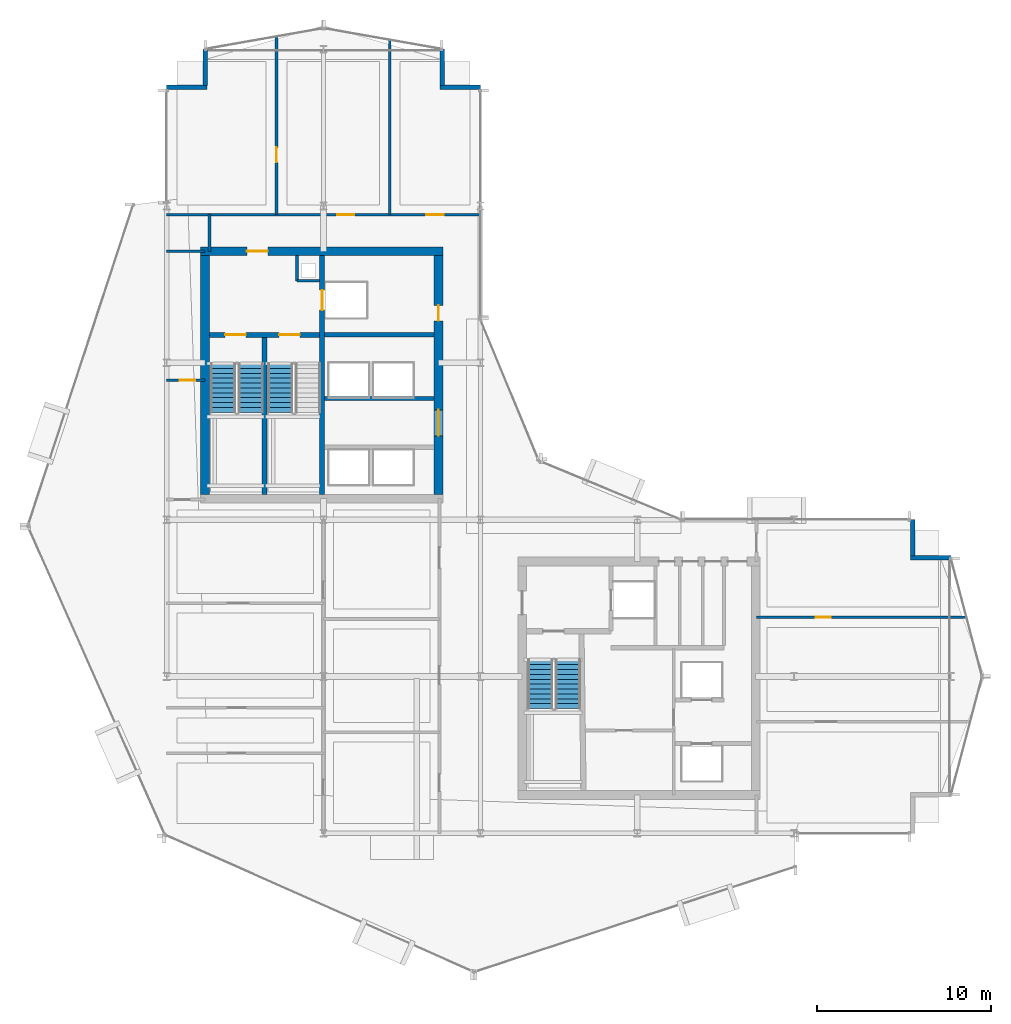
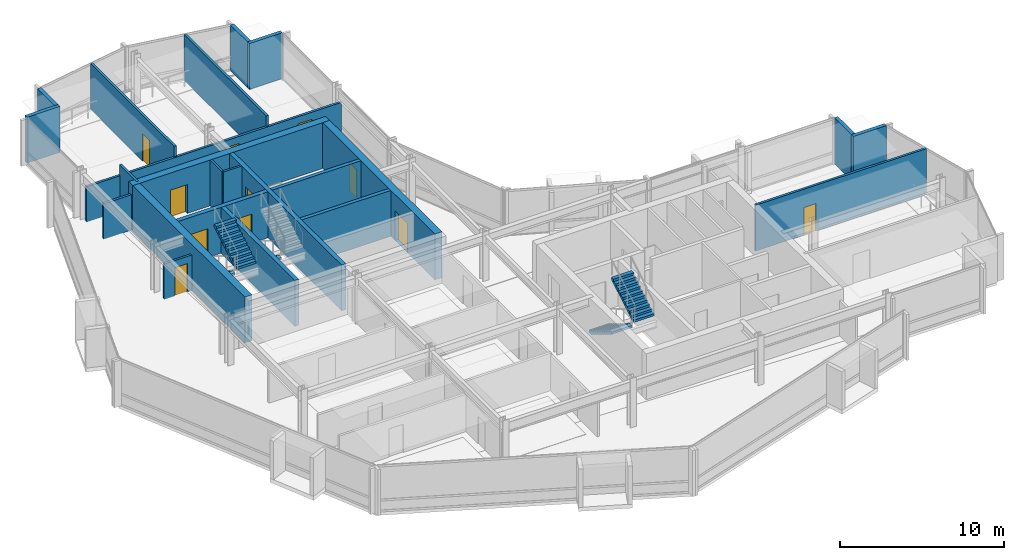
# One storey, part 23 of 29: 23 walls, 11 doors, 5 stair flights, 11 openings, 3 elements without a shape of their own.
"""IFC4 building model written with IfcOpenShell, lengths in metres."""

from ifc_helpers import new_model, si_unit, direction, frame, frame_2d, origin, place, context, subcontext, project, spatial, polyline, rectangle, outline, extrude, material, layer, layer_set, type_object, element, fill, aggregate, save


model = new_model("IFC4")

# Units and contexts
model_context = context("Model", 3, precision=1e-05, world=origin(), true_north=direction((0.0, 1.0)))
body_context = subcontext(model_context, "Body", "Model", "MODEL_VIEW")
ifc_project = project(units=[si_unit("LENGTHUNIT", "METRE"), si_unit("AREAUNIT", "SQUARE_METRE"), si_unit("VOLUMEUNIT", "CUBIC_METRE"), si_unit("PLANEANGLEUNIT", "RADIAN"), si_unit("MASSUNIT", "GRAM", prefix="KILO")], contexts=[model_context])

# Site, building, storey
site_placement = place(None, origin())
site = spatial("IfcSite", under=ifc_project, at=site_placement, CompositionType="ELEMENT")
building_placement = place(site_placement, origin())
building = spatial("IfcBuilding", under=site, at=building_placement, Name="Solvaryn Broadcast Tower", CompositionType="ELEMENT")
storey_placement = place(building_placement, frame((0.0, 0.0, 161.800048828125)))
storey = spatial("IfcBuildingStorey", under=building, at=storey_placement, Name="L40", CompositionType="ELEMENT", Elevation=161.800048828125)

# Wall, opening, door
ifc_material_1 = material(Name="Concrete f'c 70 MPa", Category="concrete")
ifc_layer_1 = layer(ifc_material_1, 0.5)
ifc_layer_set_1 = layer_set([ifc_layer_1], Name="CW-SHEAR-500")
wall_type_1 = type_object("IfcWallType", Name="CW-SHEAR-500", PredefinedType="SHEAR", material=ifc_layer_set_1)
wall_1_placement = place(storey_placement, frame((24.85009765625, 42.39990234375, 0.0), z_axis=(0.0, 0.0, 1.0), x_axis=(-1.0, 0.0, 0.0)))
wall_1 = element("IfcWall", 1, at=wall_1_placement, inside=storey, type_object=wall_type_1, Name="L40 West Core North Shear Wall", PredefinedType="SHEAR", context=body_context, shape_type="SweptSolid", body=[
    extrude(rectangle(XDim=13.900146484375, YDim=0.5, at=frame_2d((6.9501953125, 0.0))), origin(), (0.0, 0.0, 1.0), 3.419921875),
])
opening_1_placement = place(wall_1_placement, frame((10.050048828125, 0.0, 0.0)))
opening_1 = element("IfcOpeningElement", 2, at=opening_1_placement, cuts=wall_1, Name="Opening FD90A", PredefinedType="OPENING", context=body_context, shape_type="SweptSolid", body=[
    extrude(rectangle(XDim=1.199951171875, YDim=2.14990234375, at=frame_2d((0.60009765625, 1.074951171875))), frame((0.0, 0.260009765625, 0.0), z_axis=(0.0, -1.0, 0.0), x_axis=(1.0, 0.0, 0.0)), (0.0, 0.0, 1.0), 0.52001953125),
])
ifc_material_2 = material(Name="Flush Acoustic Steel and Timber Door Assembly", Category="steel")
door_type_1 = type_object("IfcDoorType", Name="FD90-STAIR-1200X2150", OperationType="NOTDEFINED", PredefinedType="DOOR", material=ifc_material_2)
door_1_placement = place(opening_1_placement, origin())
door_1 = element("IfcDoor", 3, at=door_1_placement, inside=storey, type_object=door_type_1, Name="L40 West FSAE Lobby Corridor Door", OperationType="SINGLE_SWING_LEFT", OverallHeight=2.14990234375, OverallWidth=1.199951171875, PredefinedType="DOOR", context=body_context, shape_type="SweptSolid", body=[
    extrude(rectangle(XDim=1.199951171875, YDim=2.14990234375, at=frame_2d((0.60009765625, 1.074951171875))), frame((0.0, 0.02490234375, 0.0), z_axis=(0.0, -1.0, 0.0), x_axis=(1.0, 0.0, 0.0)), (0.0, 0.0, 1.0), 0.050048828125),
])
fill(opening_1, door_1)

# Wall
wall_2_placement = place(storey_placement, frame((11.199951171875, 42.14990234375, 0.0), z_axis=(0.0, 0.0, 1.0), x_axis=(0.0, -1.0, 0.0)))
element("IfcWall", 4, at=wall_2_placement, inside=storey, type_object=wall_type_1, Name="L40 West Core West Shear Wall", PredefinedType="SHEAR", context=body_context, shape_type="SweptSolid", body=[
    extrude(rectangle(XDim=13.699951171875, YDim=0.5, at=frame_2d((6.85009765625, 0.0))), origin(), (0.0, 0.0, 1.0), 3.419921875),
])

# Wall, openings, doors
wall_3_placement = place(storey_placement, frame((24.60009765625, 28.449951171875, 0.0), z_axis=(0.0, 0.0, 1.0), x_axis=(0.0, 1.0, 0.0)))
wall_3 = element("IfcWall", 5, at=wall_3_placement, inside=storey, type_object=wall_type_1, Name="L40 West Core East Shear Wall", PredefinedType="SHEAR", context=body_context, shape_type="SweptSolid", body=[
    extrude(rectangle(XDim=13.699951171875, YDim=0.5, at=frame_2d((6.85009765625, 0.0))), origin(), (0.0, 0.0, 1.0), 3.419921875),
])
opening_2_placement = place(wall_3_placement, frame((3.35009765625, 0.0, 0.0)))
opening_2 = element("IfcOpeningElement", 6, at=opening_2_placement, cuts=wall_3, Name="Opening FD60A", PredefinedType="OPENING", context=body_context, shape_type="SweptSolid", body=[
    extrude(rectangle(XDim=1.5, YDim=2.199951171875, at=frame_2d((0.75, 1.10009765625))), frame((0.0, 0.260009765625, 0.0), z_axis=(0.0, -1.0, 0.0), x_axis=(1.0, 0.0, 0.0)), (0.0, 0.0, 1.0), 0.52001953125),
])
opening_3_placement = place(wall_3_placement, frame((9.949951171875, 0.0, 0.0)))
opening_3 = element("IfcOpeningElement", 7, at=opening_3_placement, cuts=wall_3, Name="Opening FD60C", PredefinedType="OPENING", context=body_context, shape_type="SweptSolid", body=[
    extrude(rectangle(XDim=0.89990234375, YDim=2.10009765625, at=frame_2d((0.449951171875, 1.050048828125))), frame((0.0, 0.260009765625, 0.0), z_axis=(0.0, -1.0, 0.0), x_axis=(1.0, 0.0, 0.0)), (0.0, 0.0, 1.0), 0.52001953125),
])
ifc_material_3 = material(Name="Flush Acoustic Steel and Timber Door Assembly", Category="steel")
door_type_2 = type_object("IfcDoorType", Name="FD60-CORR-1500X2200", OperationType="NOTDEFINED", PredefinedType="DOOR", material=ifc_material_3)
door_2_placement = place(opening_2_placement, origin())
door_2 = element("IfcDoor", 8, at=door_2_placement, inside=storey, type_object=door_type_2, Name="L40 West Elevator Lobby Corridor Door", OperationType="DOUBLE_DOOR_SINGLE_SWING", OverallHeight=2.199951171875, OverallWidth=1.5, PredefinedType="DOOR", context=body_context, shape_type="SweptSolid", body=[
    extrude(rectangle(XDim=1.5, YDim=2.199951171875, at=frame_2d((0.75, 1.10009765625))), frame((0.0, 0.02490234375, 0.0), z_axis=(0.0, -1.0, 0.0), x_axis=(1.0, 0.0, 0.0)), (0.0, 0.0, 1.0), 0.050048828125),
])
fill(opening_2, door_2)
ifc_material_4 = material(Name="Flush Acoustic Steel and Timber Door Assembly", Category="steel")
door_type_3 = type_object("IfcDoorType", Name="FD60-SERV-900X2100", OperationType="NOTDEFINED", PredefinedType="DOOR", material=ifc_material_4)
door_3_placement = place(opening_3_placement, origin())
door_3 = element("IfcDoor", 9, at=door_3_placement, inside=storey, type_object=door_type_3, Name="L40 West Core Service Door 1", OperationType="SINGLE_SWING_LEFT", OverallHeight=2.10009765625, OverallWidth=0.89990234375, PredefinedType="DOOR", context=body_context, shape_type="SweptSolid", body=[
    extrude(rectangle(XDim=0.89990234375, YDim=2.10009765625, at=frame_2d((0.449951171875, 1.050048828125))), frame((0.0, 0.02490234375, 0.0), z_axis=(0.0, -1.0, 0.0), x_axis=(1.0, 0.0, 0.0)), (0.0, 0.0, 1.0), 0.050048828125),
])
fill(opening_3, door_3)

# Walls
ifc_material_5 = material(Name="Concrete f'c 50 MPa", Category="concrete")
ifc_layer_2 = layer(ifc_material_5, 0.260009765625)
ifc_layer_set_2 = layer_set([ifc_layer_2], Name="EW-PIER-260")
wall_type_2 = type_object("IfcWallType", Name="EW-PIER-260", PredefinedType="SOLIDWALL", material=ifc_layer_set_2)
wall_4_placement = place(storey_placement, frame((9.0, 51.800048828125, 0.0), z_axis=(0.0, 0.0, 1.0), x_axis=(1.0, 0.0, 0.0)))
element("IfcWall", 10, at=wall_4_placement, inside=storey, type_object=wall_type_2, Name="L40 Notched Corner Pier Wall NNW1", PredefinedType="SOLIDWALL", context=body_context, shape_type="SweptSolid", body=[
    extrude(rectangle(XDim=2.320068359375, YDim=0.260009765625, at=frame_2d((1.16015625, 0.0))), origin(), (0.0, 0.0, 1.0), 3.419921875),
])
for number, where, z_axis, x_axis, name in (
    (11, (11.199951171875, 51.919921875, 0.0), (0.0, 0.0, 1.0), (0.0, 1.0, 0.0), "L40 Notched Corner Pier Wall NNW2"),
    (12, (24.800048828125, 54.0, 0.0), (0.0, 0.0, 1.0), (0.0, -1.0, 0.0), "L40 Notched Corner Pier Wall NNE1"),
):
    element("IfcWall", number, at=place(storey_placement, frame(where, z_axis=z_axis, x_axis=x_axis)), inside=storey, type_object=wall_type_2, Name=name, PredefinedType="SOLIDWALL", context=body_context, shape_type="SweptSolid", body=[
        extrude(rectangle(XDim=2.080078125, YDim=0.260009765625, at=frame_2d((1.0400390625, 0.0))), origin(), (0.0, 0.0, 1.0), 3.419921875),
    ])
for number, where, z_axis, x_axis, name in (
    (13, (24.679931640625, 51.800048828125, 0.0), (0.0, 0.0, 1.0), (1.0, 0.0, 0.0), "L40 Notched Corner Pier Wall NNE2"),
    (14, (54.0, 24.800048828125, 0.0), (0.0, 0.0, 1.0), (-1.0, 0.0, 0.0), "L40 Notched Corner Pier Wall NEE1"),
):
    element("IfcWall", number, at=place(storey_placement, frame(where, z_axis=z_axis, x_axis=x_axis)), inside=storey, type_object=wall_type_2, Name=name, PredefinedType="SOLIDWALL", context=body_context, shape_type="SweptSolid", body=[
        extrude(rectangle(XDim=2.320068359375, YDim=0.260009765625, at=frame_2d((1.16015625, 0.0))), origin(), (0.0, 0.0, 1.0), 3.419921875),
    ])
wall_5_placement = place(storey_placement, frame((51.800048828125, 24.919921875, 0.0), z_axis=(0.0, 0.0, 1.0), x_axis=(0.0, 1.0, 0.0)))
element("IfcWall", 15, at=wall_5_placement, inside=storey, type_object=wall_type_2, Name="L40 Notched Corner Pier Wall NEE2", PredefinedType="SOLIDWALL", context=body_context, shape_type="SweptSolid", body=[
    extrude(rectangle(XDim=2.080078125, YDim=0.260009765625, at=frame_2d((1.0400390625, 0.0))), origin(), (0.0, 0.0, 1.0), 3.419921875),
])
ifc_material_6 = material(Name="Metal-Stud Service Core Partition")
ifc_layer_3 = layer(ifc_material_6, 0.14990234375)
ifc_layer_set_3 = layer_set([ifc_layer_3], Name="IW-PART-150")
wall_type_3 = type_object("IfcWallType", Name="IW-PART-150", PredefinedType="PARTITIONING", material=ifc_layer_set_3)
wall_6_placement = place(storey_placement, frame((16.47998046875, 40.699951171875, 0.0), z_axis=(0.0, 0.0, 1.0), x_axis=(1.0, 0.0, 0.0)))
element("IfcWall", 16, at=wall_6_placement, inside=storey, type_object=wall_type_3, Name="L40 West Core Riser Shaft South Wall", PredefinedType="PARTITIONING", context=body_context, shape_type="SweptSolid", body=[
    extrude(rectangle(XDim=1.2900390625, YDim=0.14990234375, at=frame_2d((0.64501953125, 0.0))), origin(), (0.0, 0.0, 1.0), 3.419921875),
])
wall_7_placement = place(storey_placement, frame((16.47998046875, 40.699951171875, 0.0), z_axis=(0.0, 0.0, 1.0), x_axis=(0.0, 1.0, 0.0)))
element("IfcWall", 17, at=wall_7_placement, inside=storey, type_object=wall_type_3, Name="L40 West Core Riser Shaft West Wall", PredefinedType="PARTITIONING", context=body_context, shape_type="SweptSolid", body=[
    extrude(rectangle(XDim=1.449951171875, YDim=0.14990234375, at=frame_2d((0.72509765625, 0.0))), origin(), (0.0, 0.0, 1.0), 3.419921875),
])

# Wall, opening, door
wall_8_placement = place(storey_placement, frame((9.0, 35.0, 0.0), z_axis=(0.0, 0.0, 1.0), x_axis=(1.0, 0.0, 0.0)))
wall_8 = element("IfcWall", 18, at=wall_8_placement, inside=storey, type_object=wall_type_3, Name="L40 Interior Partition IW-L40-WM-M", PredefinedType="PARTITIONING", context=body_context, shape_type="SweptSolid", body=[
    extrude(rectangle(XDim=2.199951171875, YDim=0.14990234375, at=frame_2d((1.10009765625, 0.0))), origin(), (0.0, 0.0, 1.0), 2.634033203125),
])
opening_4_placement = place(wall_8_placement, frame((0.75, 0.0, 0.0)))
opening_4 = element("IfcOpeningElement", 19, at=opening_4_placement, cuts=wall_8, Name="Opening FD60C", PredefinedType="OPENING", context=body_context, shape_type="SweptSolid", body=[
    extrude(rectangle(XDim=0.89990234375, YDim=2.10009765625, at=frame_2d((0.449951171875, 1.050048828125))), frame((0.0, 0.0849609375, 0.0), z_axis=(0.0, -1.0, 0.0), x_axis=(1.0, 0.0, 0.0)), (0.0, 0.0, 1.0), 0.169921875),
])
door_4_placement = place(opening_4_placement, origin())
door_4 = element("IfcDoor", 20, at=door_4_placement, inside=storey, type_object=door_type_3, Name="L40 Door DR-L40-WM1", OperationType="SINGLE_SWING_LEFT", OverallHeight=2.10009765625, OverallWidth=0.89990234375, PredefinedType="DOOR", context=body_context, shape_type="SweptSolid", body=[
    extrude(rectangle(XDim=0.89990234375, YDim=2.10009765625, at=frame_2d((0.449951171875, 1.050048828125))), frame((0.0, 0.02490234375, 0.0), z_axis=(0.0, -1.0, 0.0), x_axis=(1.0, 0.0, 0.0)), (0.0, 0.0, 1.0), 0.050048828125),
])
fill(opening_4, door_4)

# Walls
ifc_material_7 = material(Name="Metal-Stud Gypsum Office Partition")
ifc_layer_4 = layer(ifc_material_7, 0.159912109375)
ifc_layer_set_4 = layer_set([ifc_layer_4], Name="IW-PART-160")
wall_type_4 = type_object("IfcWallType", Name="IW-PART-160", PredefinedType="PARTITIONING", material=ifc_layer_set_4)
wall_9_placement = place(storey_placement, frame((9.0, 42.39990234375, 0.0), z_axis=(0.0, 0.0, 1.0), x_axis=(1.0, 0.0, 0.0)))
element("IfcWall", 21, at=wall_9_placement, inside=storey, type_object=wall_type_4, Name="L40 Interior Partition IW-L40-WM-N", PredefinedType="PARTITIONING", context=body_context, shape_type="SweptSolid", body=[
    extrude(rectangle(XDim=2.199951171875, YDim=0.159912109375, at=frame_2d((1.10009765625, 0.0))), origin(), (0.0, 0.0, 1.0), 2.634033203125),
])
wall_10_placement = place(storey_placement, frame((11.449951171875, 42.39990234375, 0.0), z_axis=(0.0, 0.0, 1.0), x_axis=(0.0, 1.0, 0.0)))
element("IfcWall", 22, at=wall_10_placement, inside=storey, type_object=wall_type_4, Name="L40 Interior Partition IW-L40-WM-E", PredefinedType="PARTITIONING", context=body_context, shape_type="SweptSolid", body=[
    extrude(rectangle(XDim=2.10009765625, YDim=0.159912109375, at=frame_2d((1.050048828125, 0.0))), origin(), (0.0, 0.0, 1.0), 3.419921875),
])

# Wall, openings, doors
wall_11_placement = place(storey_placement, frame((9.0, 44.5, 0.0), z_axis=(0.0, 0.0, 1.0), x_axis=(1.0, 0.0, 0.0)))
wall_11 = element("IfcWall", 23, at=wall_11_placement, inside=storey, type_object=wall_type_4, Name="L40 Interior Partition IW-L40-NW-SB", PredefinedType="PARTITIONING", context=body_context, shape_type="SweptSolid", body=[
    extrude(rectangle(XDim=18.0, YDim=0.159912109375, at=frame_2d((9.0, 0.0))), origin(), (0.0, 0.0, 1.0), 2.634033203125),
])
opening_5_placement = place(wall_11_placement, frame((9.800048828125, 0.0, 0.0)))
opening_5 = element("IfcOpeningElement", 24, at=opening_5_placement, cuts=wall_11, Name="Opening ID01", PredefinedType="OPENING", context=body_context, shape_type="SweptSolid", body=[
    extrude(rectangle(XDim=0.949951171875, YDim=2.10009765625, at=frame_2d((0.47509765625, 1.050048828125))), frame((0.0, 0.090087890625, 0.0), z_axis=(0.0, -1.0, 0.0), x_axis=(1.0, 0.0, 0.0)), (0.0, 0.0, 1.0), 0.179931640625),
])
opening_6_placement = place(wall_11_placement, frame((14.89990234375, 0.0, 0.0)))
opening_6 = element("IfcOpeningElement", 25, at=opening_6_placement, cuts=wall_11, Name="Opening ID02", PredefinedType="OPENING", context=body_context, shape_type="SweptSolid", body=[
    extrude(rectangle(XDim=1.0, YDim=2.10009765625, at=frame_2d((0.5, 1.050048828125))), frame((0.0, 0.090087890625, 0.0), z_axis=(0.0, -1.0, 0.0), x_axis=(1.0, 0.0, 0.0)), (0.0, 0.0, 1.0), 0.179931640625),
])
ifc_material_8 = material(Name="Flush Acoustic Steel and Timber Door Assembly", Category="steel")
door_type_4 = type_object("IfcDoorType", Name="ID-01-950X2100", OperationType="NOTDEFINED", PredefinedType="DOOR", material=ifc_material_8)
door_5_placement = place(opening_5_placement, origin())
door_5 = element("IfcDoor", 26, at=door_5_placement, inside=storey, type_object=door_type_4, Name="L40 Door DR-L40-NW-2", OperationType="SINGLE_SWING_LEFT", OverallHeight=2.10009765625, OverallWidth=0.949951171875, PredefinedType="DOOR", context=body_context, shape_type="SweptSolid", body=[
    extrude(rectangle(XDim=0.949951171875, YDim=2.10009765625, at=frame_2d((0.47509765625, 1.050048828125))), frame((0.0, 0.02490234375, 0.0), z_axis=(0.0, -1.0, 0.0), x_axis=(1.0, 0.0, 0.0)), (0.0, 0.0, 1.0), 0.050048828125),
])
fill(opening_5, door_5)
ifc_material_9 = material(Name="Flush Acoustic Steel and Timber Door Assembly", Category="steel")
door_type_5 = type_object("IfcDoorType", Name="ID-02-1000X2100", OperationType="NOTDEFINED", PredefinedType="DOOR", material=ifc_material_9)
door_6_placement = place(opening_6_placement, origin())
door_6 = element("IfcDoor", 27, at=door_6_placement, inside=storey, type_object=door_type_5, Name="L40 Door DR-L40-NW-3", OperationType="SINGLE_SWING_RIGHT", OverallHeight=2.10009765625, OverallWidth=1.0, PredefinedType="DOOR", context=body_context, shape_type="SweptSolid", body=[
    extrude(rectangle(XDim=1.0, YDim=2.10009765625, at=frame_2d((0.5, 1.050048828125))), frame((0.0, 0.02490234375, 0.0), z_axis=(0.0, -1.0, 0.0), x_axis=(1.0, 0.0, 0.0)), (0.0, 0.0, 1.0), 0.050048828125),
])
fill(opening_6, door_6)

# Wall, opening, door
wall_12_placement = place(storey_placement, frame((15.300048828125, 44.5, 0.0), z_axis=(0.0, 0.0, 1.0), x_axis=(0.0, 1.0, 0.0)))
wall_12 = element("IfcWall", 28, at=wall_12_placement, inside=storey, type_object=wall_type_4, Name="L40 Interior Partition IW-L40-NW-V1", PredefinedType="PARTITIONING", context=body_context, shape_type="SweptSolid", body=[
    extrude(rectangle(XDim=10.22412109375, YDim=0.159912109375, at=frame_2d((5.112060546875, 0.0))), origin(), (0.0, 0.0, 1.0), 3.419921875),
])
opening_7_placement = place(wall_12_placement, frame((3.0, 0.0, 0.0)))
opening_7 = element("IfcOpeningElement", 29, at=opening_7_placement, cuts=wall_12, Name="Opening ID07", PredefinedType="OPENING", context=body_context, shape_type="SweptSolid", body=[
    extrude(rectangle(XDim=0.860107421875, YDim=2.050048828125, at=frame_2d((0.43017578125, 1.02490234375))), frame((0.0, 0.090087890625, 0.0), z_axis=(0.0, -1.0, 0.0), x_axis=(1.0, 0.0, 0.0)), (0.0, 0.0, 1.0), 0.179931640625),
])
ifc_material_10 = material(Name="Flush Acoustic Steel and Timber Door Assembly", Category="steel")
door_type_6 = type_object("IfcDoorType", Name="ID-07-860X2050", OperationType="NOTDEFINED", PredefinedType="DOOR", material=ifc_material_10)
door_7_placement = place(opening_7_placement, origin())
door_7 = element("IfcDoor", 30, at=door_7_placement, inside=storey, type_object=door_type_6, Name="L40 Door DR-L40-NW-C1", OperationType="SINGLE_SWING_RIGHT", OverallHeight=2.050048828125, OverallWidth=0.860107421875, PredefinedType="DOOR", context=body_context, shape_type="SweptSolid", body=[
    extrude(rectangle(XDim=0.860107421875, YDim=2.050048828125, at=frame_2d((0.43017578125, 1.02490234375))), frame((0.0, 0.02490234375, 0.0), z_axis=(0.0, -1.0, 0.0), x_axis=(1.0, 0.0, 0.0)), (0.0, 0.0, 1.0), 0.050048828125),
])
fill(opening_7, door_7)

# Wall
wall_13_placement = place(storey_placement, frame((21.800048828125, 44.5, 0.0), z_axis=(0.0, 0.0, 1.0), x_axis=(0.0, 1.0, 0.0)))
element("IfcWall", 31, at=wall_13_placement, inside=storey, type_object=wall_type_4, Name="L40 Interior Partition IW-L40-NW-V2", PredefinedType="PARTITIONING", context=body_context, shape_type="SweptSolid", body=[
    extrude(rectangle(XDim=10.029052734375, YDim=0.159912109375, at=frame_2d((5.0146484375, 0.0))), origin(), (0.0, 0.0, 1.0), 3.419921875),
])

# Wall, opening, door
wall_14_placement = place(storey_placement, frame((42.85009765625, 21.39990234375, 0.0), z_axis=(0.0, 0.0, 1.0), x_axis=(1.0, 0.0, 0.0)))
wall_14 = element("IfcWall", 32, at=wall_14_placement, inside=storey, type_object=wall_type_4, Name="L40 Interior Partition IW-L40-EW-H2", PredefinedType="PARTITIONING", context=body_context, shape_type="SweptSolid", body=[
    extrude(rectangle(XDim=12.0498046875, YDim=0.159912109375, at=frame_2d((6.02490234375, 0.0))), origin(), (0.0, 0.0, 1.0), 3.419921875),
])
opening_8_placement = place(wall_14_placement, frame((3.39990234375, 0.0, 0.0)))
opening_8 = element("IfcOpeningElement", 33, at=opening_8_placement, cuts=wall_14, Name="Opening ID07", PredefinedType="OPENING", context=body_context, shape_type="SweptSolid", body=[
    extrude(rectangle(XDim=0.860107421875, YDim=2.050048828125, at=frame_2d((0.43017578125, 1.02490234375))), frame((0.0, 0.090087890625, 0.0), z_axis=(0.0, -1.0, 0.0), x_axis=(1.0, 0.0, 0.0)), (0.0, 0.0, 1.0), 0.179931640625),
])
door_8_placement = place(opening_8_placement, origin())
door_8 = element("IfcDoor", 34, at=door_8_placement, inside=storey, type_object=door_type_6, Name="L40 Door DR-L40-EW-2", OperationType="SINGLE_SWING_LEFT", OverallHeight=2.050048828125, OverallWidth=0.860107421875, PredefinedType="DOOR", context=body_context, shape_type="SweptSolid", body=[
    extrude(rectangle(XDim=0.860107421875, YDim=2.050048828125, at=frame_2d((0.43017578125, 1.02490234375))), frame((0.0, 0.02490234375, 0.0), z_axis=(0.0, -1.0, 0.0), x_axis=(1.0, 0.0, 0.0)), (0.0, 0.0, 1.0), 0.050048828125),
])
fill(opening_8, door_8)

# Walls
ifc_material_11 = material(Name="Concrete f'c 60 MPa", Category="concrete")
ifc_layer_5 = layer(ifc_material_11, 0.25)
ifc_layer_set_5 = layer_set([ifc_layer_5], Name="SW-SHAFT-250")
wall_type_5 = type_object("IfcWallType", Name="SW-SHAFT-250", PredefinedType="PARTITIONING", material=ifc_layer_set_5)
for number, where, z_axis, x_axis, name in (
    (35, (18.070068359375, 37.60009765625, 0.0), (0.0, 0.0, 1.0), (1.0, 0.0, 0.0), "L40 West Core FSAE Hoistway Front Wall"),
    (36, (24.35009765625, 33.949951171875, 0.0), (0.0, 0.0, 1.0), (-1.0, 0.0, 0.0), "L40 High-Rise Lift Bank North Wall"),
):
    element("IfcWall", number, at=place(storey_placement, frame(where, z_axis=z_axis, x_axis=x_axis)), inside=storey, type_object=wall_type_5, Name=name, PredefinedType="PARTITIONING", context=body_context, shape_type="SweptSolid", body=[
        extrude(rectangle(XDim=6.280029296875, YDim=0.25, at=frame_2d((3.14013671875, 0.0))), origin(), (0.0, 0.0, 1.0), 3.419921875),
    ])
ifc_material_12 = material(Name="Concrete f'c 70 MPa", Category="concrete")
ifc_layer_6 = layer(ifc_material_12, 0.300048828125)
ifc_layer_set_6 = layer_set([ifc_layer_6], Name="SW-SHAFT-300")
wall_type_6 = type_object("IfcWallType", Name="SW-SHAFT-300", PredefinedType="SHEAR", material=ifc_layer_set_6)
wall_15_placement = place(storey_placement, frame((14.6201171875, 28.449951171875, 0.0), z_axis=(0.0, 0.0, 1.0), x_axis=(0.0, 1.0, 0.0)))
element("IfcWall", 37, at=wall_15_placement, inside=storey, type_object=wall_type_6, Name="L40 Stair 1-2 Dividing Wall", PredefinedType="SHEAR", context=body_context, shape_type="SweptSolid", body=[
    extrude(rectangle(XDim=9.0, YDim=0.300048828125, at=frame_2d((4.5, 0.0))), origin(), (0.0, 0.0, 1.0), 3.419921875),
])

# Wall, opening, door
wall_16_placement = place(storey_placement, frame((17.919921875, 42.14990234375, 0.0), z_axis=(0.0, 0.0, 1.0), x_axis=(0.0, -1.0, 0.0)))
wall_16 = element("IfcWall", 38, at=wall_16_placement, inside=storey, type_object=wall_type_6, Name="L40 West Core Stair-Lobby Shear Wall", PredefinedType="SHEAR", context=body_context, shape_type="SweptSolid", body=[
    extrude(rectangle(XDim=13.699951171875, YDim=0.300048828125, at=frame_2d((6.85009765625, 0.0))), origin(), (0.0, 0.0, 1.0), 3.419921875),
])
opening_9_placement = place(wall_16_placement, frame((1.97509765625, 0.0, 0.0)))
opening_9 = element("IfcOpeningElement", 39, at=opening_9_placement, cuts=wall_16, Name="Opening LD01", PredefinedType="OPENING", context=body_context, shape_type="SweptSolid", body=[
    extrude(rectangle(XDim=1.14990234375, YDim=2.14990234375, at=frame_2d((0.574951171875, 1.074951171875))), frame((0.0, 0.159912109375, 0.0), z_axis=(0.0, -1.0, 0.0), x_axis=(1.0, 0.0, 0.0)), (0.0, 0.0, 1.0), 0.320068359375),
])
ifc_material_13 = material(Name="Flush Acoustic Steel and Timber Door Assembly", Category="steel")
door_type_7 = type_object("IfcDoorType", Name="LD-LIFT-1150X2150", OperationType="NOTDEFINED", PredefinedType="DOOR", material=ifc_material_13)
door_9_placement = place(opening_9_placement, origin())
door_9 = element("IfcDoor", 40, at=door_9_placement, inside=storey, type_object=door_type_7, Name="L40 FL1 Lift Landing Door", OperationType="DOUBLE_DOOR_SLIDING", OverallHeight=2.14990234375, OverallWidth=1.14990234375, PredefinedType="DOOR", context=body_context, shape_type="SweptSolid", body=[
    extrude(rectangle(XDim=1.14990234375, YDim=2.14990234375, at=frame_2d((0.574951171875, 1.074951171875))), frame((0.0, 0.02490234375, 0.0), z_axis=(0.0, -1.0, 0.0), x_axis=(1.0, 0.0, 0.0)), (0.0, 0.0, 1.0), 0.050048828125),
])
fill(opening_9, door_9)

# Wall, openings, doors
wall_17_placement = place(storey_placement, frame((17.77001953125, 37.60009765625, 0.0), z_axis=(0.0, 0.0, 1.0), x_axis=(-1.0, 0.0, 0.0)))
wall_17 = element("IfcWall", 41, at=wall_17_placement, inside=storey, type_object=wall_type_6, Name="L40 West Core FSAE Lobby South Wall", PredefinedType="SHEAR", context=body_context, shape_type="SweptSolid", body=[
    extrude(rectangle(XDim=6.320068359375, YDim=0.300048828125, at=frame_2d((3.16015625, 0.0))), origin(), (0.0, 0.0, 1.0), 3.419921875),
])
opening_10_placement = place(wall_17_placement, frame((4.219970703125, 0.0, 0.0)))
opening_10 = element("IfcOpeningElement", 42, at=opening_10_placement, cuts=wall_17, Name="Opening FD90A", PredefinedType="OPENING", context=body_context, shape_type="SweptSolid", body=[
    extrude(rectangle(XDim=1.199951171875, YDim=2.14990234375, at=frame_2d((0.60009765625, 1.074951171875))), frame((0.0, 0.159912109375, 0.0), z_axis=(0.0, -1.0, 0.0), x_axis=(1.0, 0.0, 0.0)), (0.0, 0.0, 1.0), 0.320068359375),
])
opening_11_placement = place(wall_17_placement, frame((1.1201171875, 0.0, 0.0)))
opening_11 = element("IfcOpeningElement", 43, at=opening_11_placement, cuts=wall_17, Name="Opening FD90A", PredefinedType="OPENING", context=body_context, shape_type="SweptSolid", body=[
    extrude(rectangle(XDim=1.199951171875, YDim=2.14990234375, at=frame_2d((0.60009765625, 1.074951171875))), frame((0.0, 0.159912109375, 0.0), z_axis=(0.0, -1.0, 0.0), x_axis=(1.0, 0.0, 0.0)), (0.0, 0.0, 1.0), 0.320068359375),
])
door_10_placement = place(opening_10_placement, origin())
door_10 = element("IfcDoor", 44, at=door_10_placement, inside=storey, type_object=door_type_1, Name="L40 Stair 1 Fire Door", OperationType="SINGLE_SWING_LEFT", OverallHeight=2.14990234375, OverallWidth=1.199951171875, PredefinedType="DOOR", context=body_context, shape_type="SweptSolid", body=[
    extrude(rectangle(XDim=1.199951171875, YDim=2.14990234375, at=frame_2d((0.60009765625, 1.074951171875))), frame((0.0, 0.02490234375, 0.0), z_axis=(0.0, -1.0, 0.0), x_axis=(1.0, 0.0, 0.0)), (0.0, 0.0, 1.0), 0.050048828125),
])
fill(opening_10, door_10)
door_11_placement = place(opening_11_placement, origin())
door_11 = element("IfcDoor", 45, at=door_11_placement, inside=storey, type_object=door_type_1, Name="L40 Stair 2 Fire Door", OperationType="SINGLE_SWING_RIGHT", OverallHeight=2.14990234375, OverallWidth=1.199951171875, PredefinedType="DOOR", context=body_context, shape_type="SweptSolid", body=[
    extrude(rectangle(XDim=1.199951171875, YDim=2.14990234375, at=frame_2d((0.60009765625, 1.074951171875))), frame((0.0, 0.02490234375, 0.0), z_axis=(0.0, -1.0, 0.0), x_axis=(1.0, 0.0, 0.0)), (0.0, 0.0, 1.0), 0.050048828125),
])
fill(opening_11, door_11)

# Stair, stair flights
ifc_material_14 = material(Name="Concrete f'c 60 MPa", Category="concrete")
stair_type = type_object("IfcStairType", Name="ST-CORE", PredefinedType="HALF_TURN_STAIR", material=ifc_material_14)
stair_1_placement = place(storey_placement, origin())
stair_1 = element("IfcStair", 46, at=stair_1_placement, inside=storey, type_object=stair_type, Name="L40 ST1", PredefinedType="HALF_TURN_STAIR")
ifc_material_15 = material(Name="Concrete f'c 60 MPa", Category="concrete")
ifc_layer_7 = layer(ifc_material_15, 0.159912109375)
ifc_layer_set_7 = layer_set([ifc_layer_7], Name="SF-CORE")
stair_flight_type = type_object("IfcStairFlightType", Name="SF-CORE", PredefinedType="STRAIGHT", material=ifc_layer_set_7)
stair_flight_1_placement = place(storey_placement, frame((12.239990234375, 35.9599609375, 0.0), z_axis=(0.0, 0.0, 1.0), x_axis=(0.0, -1.0, 0.0)))
stair_flight_1 = element("IfcStairFlight", 47, at=stair_flight_1_placement, type_object=stair_flight_type, Name="ST1 flight 1", NumberOfRisers=11, NumberOfTreads=10, PredefinedType="STRAIGHT", RiserHeight=0.168181818, TreadLength=0.28, context=body_context, shape_type="SweptSolid", body=[
    extrude(outline(polyline([(0.0, 0.0), (0.0, 0.168212890625), (0.280029296875, 0.168212890625), (0.280029296875, 0.33642578125), (0.56005859375, 0.33642578125), (0.56005859375, 0.504638671875), (0.840087890625, 0.504638671875), (0.840087890625, 0.672607421875), (1.1201171875, 0.672607421875), (1.1201171875, 0.8408203125), (1.39990234375, 0.8408203125), (1.39990234375, 1.009033203125), (1.679931640625, 1.009033203125), (1.679931640625, 1.17724609375), (1.9599609375, 1.17724609375), (1.9599609375, 1.345458984375), (2.239990234375, 1.345458984375), (2.239990234375, 1.513671875), (2.52001953125, 1.513671875), (2.52001953125, 1.681884765625), (2.800048828125, 1.681884765625), (2.800048828125, 1.85009765625), (2.800048828125, 1.5068359375), (0.291015625, 0.0), (0.0, 0.0)])), frame((0.0, 0.719970703125, 0.0), z_axis=(0.0, -1.0, 0.0), x_axis=(1.0, 0.0, 0.0)), (0.0, 0.0, 1.0), 1.43994140625),
])
stair_flight_2_placement = place(storey_placement, frame((13.830078125, 33.159912109375, 1.849853515625), z_axis=(0.0, 0.0, 1.0), x_axis=(0.0, 1.0, 0.0)))
stair_flight_2 = element("IfcStairFlight", 48, at=stair_flight_2_placement, type_object=stair_flight_type, Name="ST1 flight 2", NumberOfRisers=11, NumberOfTreads=10, PredefinedType="STRAIGHT", RiserHeight=0.168181818, TreadLength=0.28, context=body_context, shape_type="SweptSolid", body=[
    extrude(outline(polyline([(0.0, 0.0), (0.0, 0.168212890625), (0.280029296875, 0.168212890625), (0.280029296875, 0.33642578125), (0.56005859375, 0.33642578125), (0.56005859375, 0.504638671875), (0.840087890625, 0.504638671875), (0.840087890625, 0.672607421875), (1.1201171875, 0.672607421875), (1.1201171875, 0.8408203125), (1.39990234375, 0.8408203125), (1.39990234375, 1.009033203125), (1.679931640625, 1.009033203125), (1.679931640625, 1.17724609375), (1.9599609375, 1.17724609375), (1.9599609375, 1.345458984375), (2.239990234375, 1.345458984375), (2.239990234375, 1.513671875), (2.52001953125, 1.513671875), (2.52001953125, 1.681884765625), (2.800048828125, 1.681884765625), (2.800048828125, 1.85009765625), (2.800048828125, 1.5068359375), (0.291015625, 0.0), (0.0, 0.0)])), frame((0.0, 0.719970703125, 0.0), z_axis=(0.0, -1.0, 0.0), x_axis=(1.0, 0.0, 0.0)), (0.0, 0.0, 1.0), 1.43994140625),
])
aggregate(stair_1, [stair_flight_1, stair_flight_2])

# Stair, stair flight
stair_2_placement = place(storey_placement, origin())
stair_2 = element("IfcStair", 49, at=stair_2_placement, inside=storey, type_object=stair_type, Name="L40 ST2", PredefinedType="HALF_TURN_STAIR")
stair_flight_3_placement = place(storey_placement, frame((15.52001953125, 35.9599609375, 0.0), z_axis=(0.0, 0.0, 1.0), x_axis=(0.0, -1.0, 0.0)))
stair_flight_3 = element("IfcStairFlight", 50, at=stair_flight_3_placement, type_object=stair_flight_type, Name="ST2 flight 1", NumberOfRisers=11, NumberOfTreads=10, PredefinedType="STRAIGHT", RiserHeight=0.168181818, TreadLength=0.28, context=body_context, shape_type="SweptSolid", body=[
    extrude(outline(polyline([(0.0, 0.0), (0.0, 0.168212890625), (0.280029296875, 0.168212890625), (0.280029296875, 0.33642578125), (0.56005859375, 0.33642578125), (0.56005859375, 0.504638671875), (0.840087890625, 0.504638671875), (0.840087890625, 0.672607421875), (1.1201171875, 0.672607421875), (1.1201171875, 0.8408203125), (1.39990234375, 0.8408203125), (1.39990234375, 1.009033203125), (1.679931640625, 1.009033203125), (1.679931640625, 1.17724609375), (1.9599609375, 1.17724609375), (1.9599609375, 1.345458984375), (2.239990234375, 1.345458984375), (2.239990234375, 1.513671875), (2.52001953125, 1.513671875), (2.52001953125, 1.681884765625), (2.800048828125, 1.681884765625), (2.800048828125, 1.85009765625), (2.800048828125, 1.5068359375), (0.291015625, 0.0), (0.0, 0.0)])), frame((0.0, 0.719970703125, 0.0), z_axis=(0.0, -1.0, 0.0), x_axis=(1.0, 0.0, 0.0)), (0.0, 0.0, 1.0), 1.43994140625),
])
aggregate(stair_2, [stair_flight_3])

# Stair, stair flights
stair_3_placement = place(storey_placement, origin())
stair_3 = element("IfcStair", 51, at=stair_3_placement, inside=storey, type_object=stair_type, Name="L40 ST3", PredefinedType="HALF_TURN_STAIR")
stair_flight_4_placement = place(storey_placement, frame((30.43994140625, 18.9599609375, 0.0), z_axis=(0.0, 0.0, 1.0), x_axis=(0.0, -1.0, 0.0)))
stair_flight_4 = element("IfcStairFlight", 52, at=stair_flight_4_placement, type_object=stair_flight_type, Name="ST3 flight 1", NumberOfRisers=11, NumberOfTreads=10, PredefinedType="STRAIGHT", RiserHeight=0.168181818, TreadLength=0.28, context=body_context, shape_type="SweptSolid", body=[
    extrude(outline(polyline([(0.0, 0.0), (0.0, 0.168212890625), (0.280029296875, 0.168212890625), (0.280029296875, 0.33642578125), (0.56005859375, 0.33642578125), (0.56005859375, 0.504638671875), (0.840087890625, 0.504638671875), (0.840087890625, 0.672607421875), (1.1201171875, 0.672607421875), (1.1201171875, 0.8408203125), (1.39990234375, 0.8408203125), (1.39990234375, 1.009033203125), (1.679931640625, 1.009033203125), (1.679931640625, 1.17724609375), (1.9599609375, 1.17724609375), (1.9599609375, 1.345458984375), (2.239990234375, 1.345458984375), (2.239990234375, 1.513671875), (2.52001953125, 1.513671875), (2.52001953125, 1.681884765625), (2.800048828125, 1.681884765625), (2.800048828125, 1.85009765625), (2.800048828125, 1.5068359375), (0.291015625, 0.0), (0.0, 0.0)])), frame((0.0, 0.719970703125, 0.0), z_axis=(0.0, -1.0, 0.0), x_axis=(1.0, 0.0, 0.0)), (0.0, 0.0, 1.0), 1.43994140625),
])
stair_flight_5_placement = place(storey_placement, frame((32.030029296875, 16.159912109375, 1.849853515625), z_axis=(0.0, 0.0, 1.0), x_axis=(0.0, 1.0, 0.0)))
stair_flight_5 = element("IfcStairFlight", 53, at=stair_flight_5_placement, type_object=stair_flight_type, Name="ST3 flight 2", NumberOfRisers=11, NumberOfTreads=10, PredefinedType="STRAIGHT", RiserHeight=0.168181818, TreadLength=0.28, context=body_context, shape_type="SweptSolid", body=[
    extrude(outline(polyline([(0.0, 0.0), (0.0, 0.168212890625), (0.280029296875, 0.168212890625), (0.280029296875, 0.33642578125), (0.56005859375, 0.33642578125), (0.56005859375, 0.504638671875), (0.840087890625, 0.504638671875), (0.840087890625, 0.672607421875), (1.1201171875, 0.672607421875), (1.1201171875, 0.8408203125), (1.39990234375, 0.8408203125), (1.39990234375, 1.009033203125), (1.679931640625, 1.009033203125), (1.679931640625, 1.17724609375), (1.9599609375, 1.17724609375), (1.9599609375, 1.345458984375), (2.239990234375, 1.345458984375), (2.239990234375, 1.513671875), (2.52001953125, 1.513671875), (2.52001953125, 1.681884765625), (2.800048828125, 1.681884765625), (2.800048828125, 1.85009765625), (2.800048828125, 1.5068359375), (0.291015625, 0.0), (0.0, 0.0)])), frame((0.0, 0.719970703125, 0.0), z_axis=(0.0, -1.0, 0.0), x_axis=(1.0, 0.0, 0.0)), (0.0, 0.0, 1.0), 1.43994140625),
])
aggregate(stair_3, [stair_flight_4, stair_flight_5])

save(model, "model.ifc")
